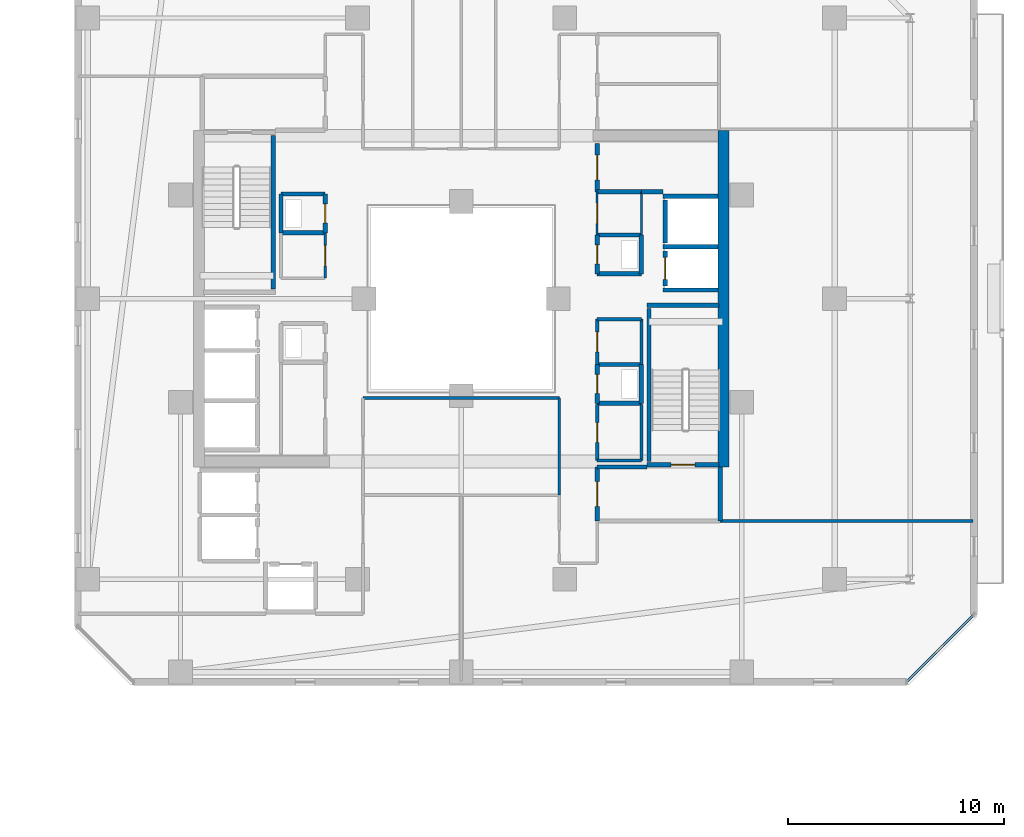
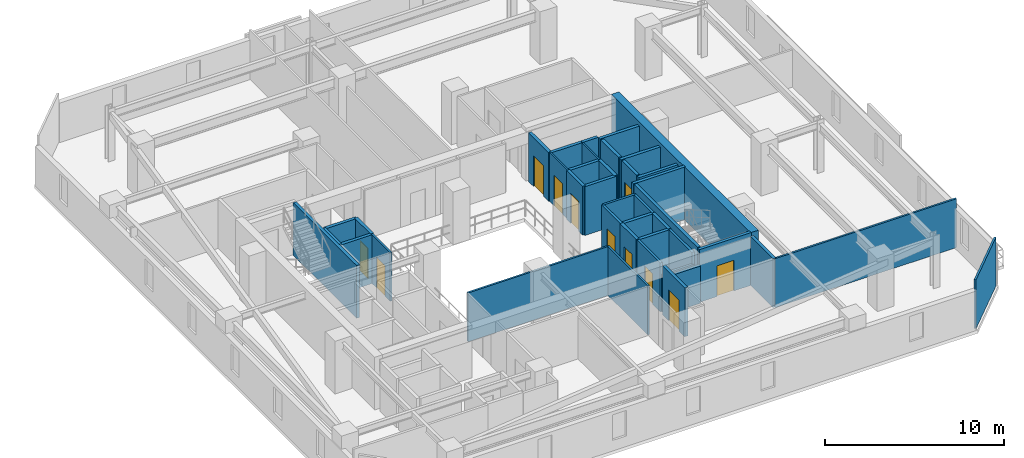
# One storey, part 24 of 33: 41 walls, 11 doors, 11 openings.
"""IFC4 building model written with IfcOpenShell, lengths in metres."""

from ifc_helpers import new_model, si_unit, direction, frame, frame_2d, origin, place, context, subcontext, project, spatial, rectangle, extrude, material, layer, layer_set, type_object, element, fill, save


model = new_model("IFC4")

# Units and contexts
model_context = context("Model", 3, precision=1e-05, world=origin(), true_north=direction((0.0, 1.0)))
body_context = subcontext(model_context, "Body", "Model", "MODEL_VIEW")
ifc_project = project(units=[si_unit("LENGTHUNIT", "METRE"), si_unit("AREAUNIT", "SQUARE_METRE"), si_unit("VOLUMEUNIT", "CUBIC_METRE"), si_unit("PLANEANGLEUNIT", "RADIAN"), si_unit("MASSUNIT", "GRAM", prefix="KILO")], contexts=[model_context])

# Site, building, storey
site_placement = place(None, origin())
site = spatial("IfcSite", under=ifc_project, at=site_placement, CompositionType="ELEMENT")
building_placement = place(site_placement, origin())
building = spatial("IfcBuilding", under=site, at=building_placement, Name="Thornwick Lancets Civic Towers", CompositionType="ELEMENT")
storey_placement = place(building_placement, frame((0.0, 0.0, 163.5)))
storey = spatial("IfcBuildingStorey", under=building, at=storey_placement, Name="L43", CompositionType="ELEMENT", Elevation=163.5)

# Wall, opening, door
ifc_material_1 = material(Name="Concrete blockwork C40/50", Category="masonry")
ifc_layer_1 = layer(ifc_material_1, 0.199951171875, Name="Concrete blockwork C40/50")
ifc_layer_set_1 = layer_set([ifc_layer_1], Name="Concrete blockwork C40/50")
wall_type_1 = type_object("IfcWallType", Name="WALL_COMP_200", PredefinedType="STANDARD", material=ifc_layer_set_1)
wall_1_placement = place(storey_placement, frame((97.949951171875, 29.219970703125, 0.0), z_axis=(0.0, 0.0, 1.0), x_axis=(0.0, -1.0, 0.0)))
wall_1 = element("IfcWall", 1, at=wall_1_placement, inside=storey, type_object=wall_type_1, Name="L43 Hoistway Front Wall FL-B1", PredefinedType="STANDARD", context=body_context, shape_type="SweptSolid", body=[
    extrude(rectangle(XDim=1.639892578125, YDim=0.199951171875, at=frame_2d((0.81982421875, 0.0))), origin(), (0.0, 0.0, 1.0), 3.340087890625),
])
opening_1_placement = place(wall_1_placement, frame((0.31005859375, 0.0, 0.0)))
opening_1 = element("IfcOpeningElement", 2, at=opening_1_placement, cuts=wall_1, Name="Opening LD-FL-B1", PredefinedType="OPENING", context=body_context, shape_type="SweptSolid", body=[
    extrude(rectangle(XDim=1.02001953125, YDim=2.06005859375, at=frame_2d((0.510009765625, 1.030029296875))), frame((0.0, 0.10986328125, 0.0), z_axis=(0.0, -1.0, 0.0), x_axis=(1.0, 0.0, 0.0)), (0.0, 0.0, 1.0), 0.219970703125),
])
ifc_material_2 = material(Name="Brushed bronze stainless steel", Category="steel")
door_type_1 = type_object("IfcDoorType", Name="DOOR_LIFT_SLIDE", OperationType="SLIDING_TO_LEFT", PredefinedType="DOOR", material=ifc_material_2)
door_1_placement = place(opening_1_placement, origin())
door_1 = element("IfcDoor", 3, at=door_1_placement, inside=storey, type_object=door_type_1, Name="L43 Sliding Lift Landing Door LD-FL-B1", OperationType="SLIDING_TO_LEFT", OverallHeight=2.06005859375, OverallWidth=1.02001953125, PredefinedType="DOOR", context=body_context, shape_type="SweptSolid", body=[
    extrude(rectangle(XDim=1.02001953125, YDim=2.06005859375, at=frame_2d((0.510009765625, 1.030029296875))), frame((0.0, 0.02490234375, 0.0), z_axis=(0.0, -1.0, 0.0), x_axis=(1.0, 0.0, 0.0)), (0.0, 0.0, 1.0), 0.050048828125),
])
fill(opening_1, door_1)

# Walls
wall_2_placement = place(storey_placement, frame((97.949951171875, 31.570068359375, 0.0), z_axis=(0.0, 0.0, 1.0), x_axis=(0.0, -1.0, 0.0)))
element("IfcWall", 4, at=wall_2_placement, inside=storey, type_object=wall_type_1, Name="L43 Hoistway Front Wall PL-BH1", PredefinedType="STANDARD", context=body_context, shape_type="SweptSolid", body=[
    extrude(rectangle(XDim=1.989990234375, YDim=0.199951171875, at=frame_2d((0.9951171875, 0.0))), origin(), (0.0, 0.0, 1.0), 3.340087890625),
])
for number, where, z_axis, x_axis, name in (
    (5, (97.85205078125, 29.39990234375, 0.0), (0.0, 0.0, 1.0), (1.0, 0.0, 0.0), "L43 Hoistway Shaft Wall FL-B1 N"),
    (6, (97.85205078125, 27.39990234375, 0.0), (0.0, 0.0, 1.0), (1.0, 0.0, 0.0), "L43 Hoistway Shaft Wall FL-B1 S"),
    (7, (97.85205078125, 31.75, 0.0), (0.0, 0.0, 1.0), (1.0, 0.0, 0.0), "L43 Hoistway Shaft Wall PL-BH1 N"),
):
    element("IfcWall", number, at=place(storey_placement, frame(where, z_axis=z_axis, x_axis=x_axis)), inside=storey, type_object=wall_type_1, Name=name, PredefinedType="STANDARD", context=body_context, shape_type="SweptSolid", body=[
        extrude(rectangle(XDim=2.535888671875, YDim=0.199951171875, at=frame_2d((1.26806640625, 0.0))), origin(), (0.0, 0.0, 1.0), 3.340087890625),
    ])
wall_3_placement = place(storey_placement, frame((100.5, 16.699951171875, 0.0), z_axis=(0.0, 0.0, 1.0), x_axis=(0.0, 1.0, 0.0)))
element("IfcWall", 8, at=wall_3_placement, inside=storey, type_object=wall_type_1, Name="L43 Partition L43-B-FFLOB1 E2", PredefinedType="STANDARD", context=body_context, shape_type="SweptSolid", body=[
    extrude(rectangle(XDim=2.5, YDim=0.199951171875, at=frame_2d((1.25, 0.0))), origin(), (0.0, 0.0, 1.0), 3.340087890625),
])
wall_4_placement = place(storey_placement, frame((97.10009765625, 19.199951171875, 0.0), z_axis=(0.0, 0.0, 1.0), x_axis=(-1.0, 0.0, 0.0)))
element("IfcWall", 9, at=wall_4_placement, inside=storey, type_object=wall_type_1, Name="L43 Partition L43-B-FFLOB1 E3", PredefinedType="STANDARD", context=body_context, shape_type="SweptSolid", body=[
    extrude(rectangle(XDim=2.300048828125, YDim=0.199951171875, at=frame_2d((1.14990234375, 0.0))), origin(), (0.0, 0.0, 1.0), 2.544921875),
])

# Wall, opening, door
wall_5_placement = place(storey_placement, frame((94.800048828125, 19.199951171875, 0.0), z_axis=(0.0, 0.0, 1.0), x_axis=(0.0, -1.0, 0.0)))
wall_5 = element("IfcWall", 10, at=wall_5_placement, inside=storey, type_object=wall_type_1, Name="L43 Partition L43-B-FFLOB1 E4", PredefinedType="STANDARD", context=body_context, shape_type="SweptSolid", body=[
    extrude(rectangle(XDim=2.5, YDim=0.199951171875, at=frame_2d((1.25, 0.0))), origin(), (0.0, 0.0, 1.0), 3.340087890625),
])
opening_2_placement = place(wall_5_placement, frame((0.675048828125, 0.0, 0.0)))
opening_2 = element("IfcOpeningElement", 11, at=opening_2_placement, cuts=wall_5, Name="Opening D-L43-1923", PredefinedType="OPENING", context=body_context, shape_type="SweptSolid", body=[
    extrude(rectangle(XDim=1.14990234375, YDim=2.10009765625, at=frame_2d((0.574951171875, 1.050048828125))), frame((0.0, 0.10986328125, 0.0), z_axis=(0.0, -1.0, 0.0), x_axis=(1.0, 0.0, 0.0)), (0.0, 0.0, 1.0), 0.219970703125),
])
ifc_material_3 = material(Name="Glazed fire-resisting steel", Category="steel")
door_type_2 = type_object("IfcDoorType", Name="DOOR_LOBBY_FD60", OperationType="NOTDEFINED", PredefinedType="DOOR", material=ifc_material_3)
door_2_placement = place(opening_2_placement, origin())
door_2 = element("IfcDoor", 12, at=door_2_placement, inside=storey, type_object=door_type_2, Name="L43 East Firefighting Lobby 1 Door", OperationType="SINGLE_SWING_RIGHT", OverallHeight=2.10009765625, OverallWidth=1.14990234375, PredefinedType="DOOR", context=body_context, shape_type="SweptSolid", body=[
    extrude(rectangle(XDim=1.14990234375, YDim=2.10009765625, at=frame_2d((0.574951171875, 1.050048828125))), frame((0.0, 0.02490234375, 0.0), z_axis=(0.0, -1.0, 0.0), x_axis=(1.0, 0.0, 0.0)), (0.0, 0.0, 1.0), 0.050048828125),
])
fill(opening_2, door_2)

# Walls
wall_6_placement = place(storey_placement, frame((94.800048828125, 28.14990234375, 0.0), z_axis=(0.0, 0.0, 1.0), x_axis=(1.0, 0.0, 0.0)))
element("IfcWall", 13, at=wall_6_placement, inside=storey, type_object=wall_type_1, Name="L43 Partition L43-B-DUCT1 E1", PredefinedType="STANDARD", context=body_context, shape_type="SweptSolid", body=[
    extrude(rectangle(XDim=2.050048828125, YDim=0.199951171875, at=frame_2d((1.02490234375, 0.0))), origin(), (0.0, 0.0, 1.0), 3.340087890625),
])
wall_7_placement = place(storey_placement, frame((96.85009765625, 28.14990234375, 0.0), z_axis=(0.0, 0.0, 1.0), x_axis=(0.0, 1.0, 0.0)))
element("IfcWall", 14, at=wall_7_placement, inside=storey, type_object=wall_type_1, Name="L43 Partition L43-B-DUCT1 E2", PredefinedType="STANDARD", context=body_context, shape_type="SweptSolid", body=[
    extrude(rectangle(XDim=1.800048828125, YDim=0.199951171875, at=frame_2d((0.89990234375, 0.0))), origin(), (0.0, 0.0, 1.0), 3.340087890625),
])
wall_8_placement = place(storey_placement, frame((96.85009765625, 29.949951171875, 0.0), z_axis=(0.0, 0.0, 1.0), x_axis=(-1.0, 0.0, 0.0)))
element("IfcWall", 15, at=wall_8_placement, inside=storey, type_object=wall_type_1, Name="L43 Partition L43-B-DUCT1 E3", PredefinedType="STANDARD", context=body_context, shape_type="SweptSolid", body=[
    extrude(rectangle(XDim=2.050048828125, YDim=0.199951171875, at=frame_2d((1.02490234375, 0.0))), origin(), (0.0, 0.0, 1.0), 3.340087890625),
])

# Wall, opening, door
wall_9_placement = place(storey_placement, frame((94.800048828125, 29.949951171875, 0.0), z_axis=(0.0, 0.0, 1.0), x_axis=(0.0, -1.0, 0.0)))
wall_9 = element("IfcWall", 16, at=wall_9_placement, inside=storey, type_object=wall_type_1, Name="L43 Partition L43-B-DUCT1 E4", PredefinedType="STANDARD", context=body_context, shape_type="SweptSolid", body=[
    extrude(rectangle(XDim=1.800048828125, YDim=0.199951171875, at=frame_2d((0.89990234375, 0.0))), origin(), (0.0, 0.0, 1.0), 3.340087890625),
])
opening_3_placement = place(wall_9_placement, frame((0.4599609375, 0.0, 0.0)))
opening_3 = element("IfcOpeningElement", 17, at=opening_3_placement, cuts=wall_9, Name="Opening D-L43-1925", PredefinedType="OPENING", context=body_context, shape_type="SweptSolid", body=[
    extrude(rectangle(XDim=0.8798828125, YDim=2.0400390625, at=frame_2d((0.43994140625, 1.02001953125))), frame((0.0, 0.10986328125, 0.0), z_axis=(0.0, -1.0, 0.0), x_axis=(1.0, 0.0, 0.0)), (0.0, 0.0, 1.0), 0.219970703125),
])
ifc_material_4 = material(Name="Steel riser access doorset", Category="steel")
door_type_3 = type_object("IfcDoorType", Name="DOOR_RISER_850", OperationType="NOTDEFINED", PredefinedType="DOOR", material=ifc_material_4)
door_3_placement = place(opening_3_placement, origin())
door_3 = element("IfcDoor", 18, at=door_3_placement, inside=storey, type_object=door_type_3, Name="L43 East Service Duct 1 Door", OperationType="SINGLE_SWING_RIGHT", OverallHeight=2.0400390625, OverallWidth=0.8798828125, PredefinedType="DOOR", context=body_context, shape_type="SweptSolid", body=[
    extrude(rectangle(XDim=0.8798828125, YDim=2.0400390625, at=frame_2d((0.43994140625, 1.02001953125))), frame((0.0, 0.02490234375, 0.0), z_axis=(0.0, -1.0, 0.0), x_axis=(1.0, 0.0, 0.0)), (0.0, 0.0, 1.0), 0.050048828125),
])
fill(opening_3, door_3)

# Walls
wall_10_placement = place(storey_placement, frame((94.800048828125, 22.14990234375, 0.0), z_axis=(0.0, 0.0, 1.0), x_axis=(1.0, 0.0, 0.0)))
element("IfcWall", 19, at=wall_10_placement, inside=storey, type_object=wall_type_1, Name="L43 Partition L43-B-RISER1 E1", PredefinedType="STANDARD", context=body_context, shape_type="SweptSolid", body=[
    extrude(rectangle(XDim=2.050048828125, YDim=0.199951171875, at=frame_2d((1.02490234375, 0.0))), origin(), (0.0, 0.0, 1.0), 3.340087890625),
])
wall_11_placement = place(storey_placement, frame((96.85009765625, 22.14990234375, 0.0), z_axis=(0.0, 0.0, 1.0), x_axis=(0.0, 1.0, 0.0)))
element("IfcWall", 20, at=wall_11_placement, inside=storey, type_object=wall_type_1, Name="L43 Partition L43-B-RISER1 E2", PredefinedType="STANDARD", context=body_context, shape_type="SweptSolid", body=[
    extrude(rectangle(XDim=1.800048828125, YDim=0.199951171875, at=frame_2d((0.89990234375, 0.0))), origin(), (0.0, 0.0, 1.0), 3.340087890625),
])
wall_12_placement = place(storey_placement, frame((96.85009765625, 23.949951171875, 0.0), z_axis=(0.0, 0.0, 1.0), x_axis=(-1.0, 0.0, 0.0)))
element("IfcWall", 21, at=wall_12_placement, inside=storey, type_object=wall_type_1, Name="L43 Partition L43-B-RISER1 E3", PredefinedType="STANDARD", context=body_context, shape_type="SweptSolid", body=[
    extrude(rectangle(XDim=2.050048828125, YDim=0.199951171875, at=frame_2d((1.02490234375, 0.0))), origin(), (0.0, 0.0, 1.0), 3.340087890625),
])

# Wall, opening, door
wall_13_placement = place(storey_placement, frame((94.800048828125, 23.949951171875, 0.0), z_axis=(0.0, 0.0, 1.0), x_axis=(0.0, -1.0, 0.0)))
wall_13 = element("IfcWall", 22, at=wall_13_placement, inside=storey, type_object=wall_type_1, Name="L43 Partition L43-B-RISER1 E4", PredefinedType="STANDARD", context=body_context, shape_type="SweptSolid", body=[
    extrude(rectangle(XDim=1.800048828125, YDim=0.199951171875, at=frame_2d((0.89990234375, 0.0))), origin(), (0.0, 0.0, 1.0), 3.340087890625),
])
opening_4_placement = place(wall_13_placement, frame((0.4599609375, 0.0, 0.0)))
opening_4 = element("IfcOpeningElement", 23, at=opening_4_placement, cuts=wall_13, Name="Opening D-L43-1926", PredefinedType="OPENING", context=body_context, shape_type="SweptSolid", body=[
    extrude(rectangle(XDim=0.8798828125, YDim=2.0400390625, at=frame_2d((0.43994140625, 1.02001953125))), frame((0.0, 0.10986328125, 0.0), z_axis=(0.0, -1.0, 0.0), x_axis=(1.0, 0.0, 0.0)), (0.0, 0.0, 1.0), 0.219970703125),
])
door_4_placement = place(opening_4_placement, origin())
door_4 = element("IfcDoor", 24, at=door_4_placement, inside=storey, type_object=door_type_3, Name="L43 East Electrical Riser 1 Door", OperationType="SINGLE_SWING_LEFT", OverallHeight=2.0400390625, OverallWidth=0.8798828125, PredefinedType="DOOR", context=body_context, shape_type="SweptSolid", body=[
    extrude(rectangle(XDim=0.8798828125, YDim=2.0400390625, at=frame_2d((0.43994140625, 1.02001953125))), frame((0.0, 0.02490234375, 0.0), z_axis=(0.0, -1.0, 0.0), x_axis=(1.0, 0.0, 0.0)), (0.0, 0.0, 1.0), 0.050048828125),
])
fill(opening_4, door_4)

# Wall
wall_14_placement = place(storey_placement, frame((80.14990234375, 30.050048828125, 0.0), z_axis=(0.0, 0.0, 1.0), x_axis=(1.0, 0.0, 0.0)))
element("IfcWall", 25, at=wall_14_placement, inside=storey, type_object=wall_type_1, Name="L43 Partition L43-B-RISER2 E1", PredefinedType="STANDARD", context=body_context, shape_type="SweptSolid", body=[
    extrude(rectangle(XDim=2.050048828125, YDim=0.199951171875, at=frame_2d((1.02490234375, 0.0))), origin(), (0.0, 0.0, 1.0), 3.340087890625),
])

# Wall, opening, door
wall_15_placement = place(storey_placement, frame((82.199951171875, 30.050048828125, 0.0), z_axis=(0.0, 0.0, 1.0), x_axis=(0.0, 1.0, 0.0)))
wall_15 = element("IfcWall", 26, at=wall_15_placement, inside=storey, type_object=wall_type_1, Name="L43 Partition L43-B-RISER2 E2", PredefinedType="STANDARD", context=body_context, shape_type="SweptSolid", body=[
    extrude(rectangle(XDim=1.800048828125, YDim=0.199951171875, at=frame_2d((0.89990234375, 0.0))), origin(), (0.0, 0.0, 1.0), 3.340087890625),
])
opening_5_placement = place(wall_15_placement, frame((0.4599609375, 0.0, 0.0)))
opening_5 = element("IfcOpeningElement", 27, at=opening_5_placement, cuts=wall_15, Name="Opening D-L43-1928", PredefinedType="OPENING", context=body_context, shape_type="SweptSolid", body=[
    extrude(rectangle(XDim=0.8798828125, YDim=2.0400390625, at=frame_2d((0.43994140625, 1.02001953125))), frame((0.0, 0.10986328125, 0.0), z_axis=(0.0, -1.0, 0.0), x_axis=(1.0, 0.0, 0.0)), (0.0, 0.0, 1.0), 0.219970703125),
])
door_5_placement = place(opening_5_placement, origin())
door_5 = element("IfcDoor", 28, at=door_5_placement, inside=storey, type_object=door_type_3, Name="L43 West Service Riser 2 Door", OperationType="SINGLE_SWING_LEFT", OverallHeight=2.0400390625, OverallWidth=0.8798828125, PredefinedType="DOOR", context=body_context, shape_type="SweptSolid", body=[
    extrude(rectangle(XDim=0.8798828125, YDim=2.0400390625, at=frame_2d((0.43994140625, 1.02001953125))), frame((0.0, 0.02490234375, 0.0), z_axis=(0.0, -1.0, 0.0), x_axis=(1.0, 0.0, 0.0)), (0.0, 0.0, 1.0), 0.050048828125),
])
fill(opening_5, door_5)

# Walls
wall_16_placement = place(storey_placement, frame((82.199951171875, 31.85009765625, 0.0), z_axis=(0.0, 0.0, 1.0), x_axis=(-1.0, 0.0, 0.0)))
element("IfcWall", 29, at=wall_16_placement, inside=storey, type_object=wall_type_1, Name="L43 Partition L43-B-RISER2 E3", PredefinedType="STANDARD", context=body_context, shape_type="SweptSolid", body=[
    extrude(rectangle(XDim=2.050048828125, YDim=0.199951171875, at=frame_2d((1.02490234375, 0.0))), origin(), (0.0, 0.0, 1.0), 3.340087890625),
])
wall_17_placement = place(storey_placement, frame((80.14990234375, 31.85009765625, 0.0), z_axis=(0.0, 0.0, 1.0), x_axis=(0.0, -1.0, 0.0)))
element("IfcWall", 30, at=wall_17_placement, inside=storey, type_object=wall_type_1, Name="L43 Partition L43-B-RISER2 E4", PredefinedType="STANDARD", context=body_context, shape_type="SweptSolid", body=[
    extrude(rectangle(XDim=1.800048828125, YDim=0.199951171875, at=frame_2d((0.89990234375, 0.0))), origin(), (0.0, 0.0, 1.0), 3.340087890625),
])

# Wall, opening, door
wall_18_placement = place(storey_placement, frame((94.800048828125, 31.949951171875, 0.0), z_axis=(0.0, 0.0, 1.0), x_axis=(0.0, 1.0, 0.0)))
wall_18 = element("IfcWall", 31, at=wall_18_placement, inside=storey, type_object=wall_type_1, Name="L43 Partition L43-B-ITR2 E1", PredefinedType="STANDARD", context=body_context, shape_type="SweptSolid", body=[
    extrude(rectangle(XDim=2.25, YDim=0.199951171875, at=frame_2d((1.125, 0.0))), origin(), (0.0, 0.0, 1.0), 3.340087890625),
])
opening_6_placement = place(wall_18_placement, frame((0.550048828125, 0.0, 0.0)))
opening_6 = element("IfcOpeningElement", 32, at=opening_6_placement, cuts=wall_18, Name="Opening D-L43-1932", PredefinedType="OPENING", context=body_context, shape_type="SweptSolid", body=[
    extrude(rectangle(XDim=1.14990234375, YDim=2.10009765625, at=frame_2d((0.574951171875, 1.050048828125))), frame((0.0, 0.10986328125, 0.0), z_axis=(0.0, -1.0, 0.0), x_axis=(1.0, 0.0, 0.0)), (0.0, 0.0, 1.0), 0.219970703125),
])
door_6_placement = place(opening_6_placement, origin())
door_6 = element("IfcDoor", 33, at=door_6_placement, inside=storey, type_object=door_type_2, Name="L43 Tower B Statutory Core Archive Door", OperationType="SINGLE_SWING_LEFT", OverallHeight=2.10009765625, OverallWidth=1.14990234375, PredefinedType="DOOR", context=body_context, shape_type="SweptSolid", body=[
    extrude(rectangle(XDim=1.14990234375, YDim=2.10009765625, at=frame_2d((0.574951171875, 1.050048828125))), frame((0.0, 0.02490234375, 0.0), z_axis=(0.0, -1.0, 0.0), x_axis=(1.0, 0.0, 0.0)), (0.0, 0.0, 1.0), 0.050048828125),
])
fill(opening_6, door_6)

# Walls
wall_19_placement = place(storey_placement, frame((97.85205078125, 31.949951171875, 0.0), z_axis=(0.0, 0.0, 1.0), x_axis=(-1.0, 0.0, 0.0)))
element("IfcWall", 34, at=wall_19_placement, inside=storey, type_object=wall_type_1, Name="L43 Partition L43-B-ITR2 E4", PredefinedType="STANDARD", context=body_context, shape_type="SweptSolid", body=[
    extrude(rectangle(XDim=1.001953125, YDim=0.199951171875, at=frame_2d((0.5009765625, 0.0))), origin(), (0.0, 0.0, 1.0), 3.340087890625),
])
wall_20_placement = place(storey_placement, frame((96.85009765625, 31.949951171875, 0.0), z_axis=(0.0, 0.0, 1.0), x_axis=(-1.0, 0.0, 0.0)))
element("IfcWall", 35, at=wall_20_placement, inside=storey, type_object=wall_type_1, Name="L43 Partition L43-B-ITR2 E5", PredefinedType="STANDARD", context=body_context, shape_type="SweptSolid", body=[
    extrude(rectangle(XDim=2.050048828125, YDim=0.199951171875, at=frame_2d((1.02490234375, 0.0))), origin(), (0.0, 0.0, 1.0), 3.340087890625),
])
ifc_material_5 = material(Name="Concrete C50/60", Category="concrete")
ifc_layer_2 = layer(ifc_material_5, 0.5, Name="Concrete C50/60")
ifc_layer_set_2 = layer_set([ifc_layer_2], Name="Concrete C50/60")
wall_type_2 = type_object("IfcWallType", Name="WALL_CORE_500", PredefinedType="SHEAR", material=ifc_layer_set_2)
wall_21_placement = place(storey_placement, frame((100.64990234375, 19.199951171875, 0.0), z_axis=(0.0, 0.0, 1.0), x_axis=(0.0, 1.0, 0.0)))
element("IfcWall", 36, at=wall_21_placement, inside=storey, type_object=wall_type_2, Name="L43 Split Core B1 Shear Wall E", PredefinedType="SHEAR", context=body_context, shape_type="SweptSolid", body=[
    extrude(rectangle(XDim=15.60009765625, YDim=0.5, at=frame_2d((7.800048828125, 0.0))), origin(), (0.0, 0.0, 1.0), 3.60009765625),
])

# Wall, opening, door
ifc_material_6 = material(Name="Lightweight cellular office partition")
ifc_layer_3 = layer(ifc_material_6, 0.10009765625, Name="Lightweight cellular office partition")
ifc_layer_set_3 = layer_set([ifc_layer_3], Name="Lightweight cellular office partition")
wall_type_3 = type_object("IfcWallType", Name="WALL_PART_100", PredefinedType="PARTITIONING", material=ifc_layer_set_3)
wall_22_placement = place(storey_placement, frame((94.800048828125, 29.949951171875, 0.0), z_axis=(0.0, 0.0, 1.0), x_axis=(0.0, 1.0, 0.0)))
wall_22 = element("IfcWall", 37, at=wall_22_placement, inside=storey, type_object=wall_type_3, Name="L43 Partition L43-B-CLN E1", PredefinedType="PARTITIONING", context=body_context, shape_type="SweptSolid", body=[
    extrude(rectangle(XDim=2.0, YDim=0.10009765625, at=frame_2d((1.0, 0.0))), origin(), (0.0, 0.0, 1.0), 3.340087890625),
])
opening_7_placement = place(wall_22_placement, frame((0.52490234375, 0.0, 0.0)))
opening_7 = element("IfcOpeningElement", 38, at=opening_7_placement, cuts=wall_22, Name="Opening D-L43-1931", PredefinedType="OPENING", context=body_context, shape_type="SweptSolid", body=[
    extrude(rectangle(XDim=0.949951171875, YDim=2.10009765625, at=frame_2d((0.47509765625, 1.050048828125))), frame((0.0, 0.06005859375, 0.0), z_axis=(0.0, -1.0, 0.0), x_axis=(1.0, 0.0, 0.0)), (0.0, 0.0, 1.0), 0.1201171875),
])
ifc_material_7 = material(Name="European oak acoustic doorset")
door_type_4 = type_object("IfcDoorType", Name="DOOR_OFFICE_950", OperationType="NOTDEFINED", PredefinedType="DOOR", material=ifc_material_7)
door_7_placement = place(opening_7_placement, origin())
door_7 = element("IfcDoor", 39, at=door_7_placement, inside=storey, type_object=door_type_4, Name="L43 Tower B Cleaners Store Door", OperationType="SINGLE_SWING_RIGHT", OverallHeight=2.10009765625, OverallWidth=0.949951171875, PredefinedType="DOOR", context=body_context, shape_type="SweptSolid", body=[
    extrude(rectangle(XDim=0.949951171875, YDim=2.10009765625, at=frame_2d((0.47509765625, 1.050048828125))), frame((0.0, 0.02490234375, 0.0), z_axis=(0.0, -1.0, 0.0), x_axis=(1.0, 0.0, 0.0)), (0.0, 0.0, 1.0), 0.050048828125),
])
fill(opening_7, door_7)

# Wall
wall_23_placement = place(storey_placement, frame((96.85009765625, 31.949951171875, 0.0), z_axis=(0.0, 0.0, 1.0), x_axis=(0.0, -1.0, 0.0)))
element("IfcWall", 40, at=wall_23_placement, inside=storey, type_object=wall_type_3, Name="L43 Partition L43-B-CLN E3", PredefinedType="PARTITIONING", context=body_context, shape_type="SweptSolid", body=[
    extrude(rectangle(XDim=2.0, YDim=0.10009765625, at=frame_2d((1.0, 0.0))), origin(), (0.0, 0.0, 1.0), 3.340087890625),
])

# Wall, opening, door
ifc_material_8 = material(Name="Acoustic gypsum board partition")
ifc_layer_4 = layer(ifc_material_8, 0.1201171875, Name="Acoustic gypsum board partition")
ifc_layer_set_4 = layer_set([ifc_layer_4], Name="Acoustic gypsum board partition")
wall_type_4 = type_object("IfcWallType", Name="WALL_PART_120", PredefinedType="PARTITIONING", material=ifc_layer_set_4)
wall_24_placement = place(storey_placement, frame((82.199951171875, 30.050048828125, 0.0), z_axis=(0.0, 0.0, 1.0), x_axis=(0.0, -1.0, 0.0)))
wall_24 = element("IfcWall", 41, at=wall_24_placement, inside=storey, type_object=wall_type_4, Name="L43 Partition L43-B-ITR E4", PredefinedType="PARTITIONING", context=body_context, shape_type="SweptSolid", body=[
    extrude(rectangle(XDim=2.10009765625, YDim=0.1201171875, at=frame_2d((1.050048828125, 0.0))), origin(), (0.0, 0.0, 1.0), 3.340087890625),
])
opening_8_placement = place(wall_24_placement, frame((0.574951171875, 0.0, 0.0)))
opening_8 = element("IfcOpeningElement", 42, at=opening_8_placement, cuts=wall_24, Name="Opening D-L43-1934", PredefinedType="OPENING", context=body_context, shape_type="SweptSolid", body=[
    extrude(rectangle(XDim=0.949951171875, YDim=2.10009765625, at=frame_2d((0.47509765625, 1.050048828125))), frame((0.0, 0.070068359375, 0.0), z_axis=(0.0, -1.0, 0.0), x_axis=(1.0, 0.0, 0.0)), (0.0, 0.0, 1.0), 0.14013671875),
])
door_8_placement = place(opening_8_placement, origin())
door_8 = element("IfcDoor", 43, at=door_8_placement, inside=storey, type_object=door_type_4, Name="L43 Tower B Comms Patch Room Door", OperationType="SINGLE_SWING_LEFT", OverallHeight=2.10009765625, OverallWidth=0.949951171875, PredefinedType="DOOR", context=body_context, shape_type="SweptSolid", body=[
    extrude(rectangle(XDim=0.949951171875, YDim=2.10009765625, at=frame_2d((0.47509765625, 1.050048828125))), frame((0.0, 0.02490234375, 0.0), z_axis=(0.0, -1.0, 0.0), x_axis=(1.0, 0.0, 0.0)), (0.0, 0.0, 1.0), 0.050048828125),
])
fill(opening_8, door_8)

# Walls
wall_25_placement = place(storey_placement, frame((100.5, 16.699951171875, 0.0), z_axis=(0.0, 0.0, 1.0), x_axis=(1.0, 0.0, 0.0)))
element("IfcWall", 44, at=wall_25_placement, inside=storey, type_object=wall_type_4, Name="L43 Partition L43-B-W1 E9", PredefinedType="PARTITIONING", context=body_context, shape_type="SweptSolid", body=[
    extrude(rectangle(XDim=11.719970703125, YDim=0.1201171875, at=frame_2d((5.85986328125, 0.0))), origin(), (0.0, 0.0, 1.0), 3.340087890625),
])
wall_26_placement = place(storey_placement, frame((112.219970703125, 12.32861328125, 0.0), z_axis=(0.0, 0.0, 1.0), x_axis=(-0.707106781187, -0.707106781187, 0.0)))
element("IfcWall", 45, at=wall_26_placement, inside=storey, type_object=wall_type_4, Name="L43 Partition L43-B-W1 E11", PredefinedType="PARTITIONING", context=body_context, shape_type="SweptSolid", body=[
    extrude(rectangle(XDim=4.311279296875, YDim=0.1201171875, at=frame_2d((2.15576171875, 0.0))), origin(), (0.0, 0.0, 1.0), 3.340087890625),
])
wall_27_placement = place(storey_placement, frame((83.949951171875, 22.39990234375, 0.0), z_axis=(0.0, 0.0, 1.0), x_axis=(1.0, 0.0, 0.0)))
element("IfcWall", 46, at=wall_27_placement, inside=storey, type_object=wall_type_4, Name="L43 Partition L43-B-W3 E2", PredefinedType="PARTITIONING", context=body_context, shape_type="SweptSolid", body=[
    extrude(rectangle(XDim=9.10009765625, YDim=0.1201171875, at=frame_2d((4.550048828125, 0.0))), origin(), (0.0, 0.0, 1.0), 3.340087890625),
])
wall_28_placement = place(storey_placement, frame((93.050048828125, 22.39990234375, 0.0), z_axis=(0.0, 0.0, 1.0), x_axis=(0.0, -1.0, 0.0)))
element("IfcWall", 47, at=wall_28_placement, inside=storey, type_object=wall_type_4, Name="L43 Partition L43-B-W3 E3", PredefinedType="PARTITIONING", context=body_context, shape_type="SweptSolid", body=[
    extrude(rectangle(XDim=4.5, YDim=0.1201171875, at=frame_2d((2.25, 0.0))), origin(), (0.0, 0.0, 1.0), 3.340087890625),
])
ifc_material_9 = material(Name="Twin-stud acoustic gypsum board")
ifc_layer_5 = layer(ifc_material_9, 0.14990234375, Name="Twin-stud acoustic gypsum board")
ifc_layer_set_5 = layer_set([ifc_layer_5], Name="Twin-stud acoustic gypsum board")
wall_type_5 = type_object("IfcWallType", Name="WALL_PART_150", PredefinedType="PARTITIONING", material=ifc_layer_set_5)
wall_29_placement = place(storey_placement, frame((94.800048828125, 19.5, 0.0), z_axis=(0.0, 0.0, 1.0), x_axis=(1.0, 0.0, 0.0)))
element("IfcWall", 48, at=wall_29_placement, inside=storey, type_object=wall_type_5, Name="L43 Partition L43-B-MWC E1", PredefinedType="PARTITIONING", context=body_context, shape_type="SweptSolid", body=[
    extrude(rectangle(XDim=2.050048828125, YDim=0.14990234375, at=frame_2d((1.02490234375, 0.0))), origin(), (0.0, 0.0, 1.0), 2.544921875),
])
wall_30_placement = place(storey_placement, frame((96.85009765625, 19.5, 0.0), z_axis=(0.0, 0.0, 1.0), x_axis=(0.0, 1.0, 0.0)))
element("IfcWall", 49, at=wall_30_placement, inside=storey, type_object=wall_type_5, Name="L43 Partition L43-B-MWC E2", PredefinedType="PARTITIONING", context=body_context, shape_type="SweptSolid", body=[
    extrude(rectangle(XDim=2.60009765625, YDim=0.14990234375, at=frame_2d((1.300048828125, 0.0))), origin(), (0.0, 0.0, 1.0), 3.340087890625),
])

# Wall, opening, door
wall_31_placement = place(storey_placement, frame((94.800048828125, 22.10009765625, 0.0), z_axis=(0.0, 0.0, 1.0), x_axis=(0.0, -1.0, 0.0)))
wall_31 = element("IfcWall", 50, at=wall_31_placement, inside=storey, type_object=wall_type_5, Name="L43 Partition L43-B-MWC E4", PredefinedType="PARTITIONING", context=body_context, shape_type="SweptSolid", body=[
    extrude(rectangle(XDim=2.60009765625, YDim=0.14990234375, at=frame_2d((1.300048828125, 0.0))), origin(), (0.0, 0.0, 1.0), 3.340087890625),
])
opening_9_placement = place(wall_31_placement, frame((0.840087890625, 0.0, 0.0)))
opening_9 = element("IfcOpeningElement", 51, at=opening_9_placement, cuts=wall_31, Name="Opening D-L43-1929", PredefinedType="OPENING", context=body_context, shape_type="SweptSolid", body=[
    extrude(rectangle(XDim=0.919921875, YDim=2.080078125, at=frame_2d((0.4599609375, 1.0400390625))), frame((0.0, 0.0849609375, 0.0), z_axis=(0.0, -1.0, 0.0), x_axis=(1.0, 0.0, 0.0)), (0.0, 0.0, 1.0), 0.169921875),
])
ifc_material_10 = material(Name="Moisture-resistant oak doorset")
door_type_5 = type_object("IfcDoorType", Name="DOOR_WC_900", OperationType="NOTDEFINED", PredefinedType="DOOR", material=ifc_material_10)
door_9_placement = place(opening_9_placement, origin())
door_9 = element("IfcDoor", 52, at=door_9_placement, inside=storey, type_object=door_type_5, Name="L43 Tower B Male WC Door", OperationType="SINGLE_SWING_RIGHT", OverallHeight=2.080078125, OverallWidth=0.919921875, PredefinedType="DOOR", context=body_context, shape_type="SweptSolid", body=[
    extrude(rectangle(XDim=0.919921875, YDim=2.080078125, at=frame_2d((0.4599609375, 1.0400390625))), frame((0.0, 0.02490234375, 0.0), z_axis=(0.0, -1.0, 0.0), x_axis=(1.0, 0.0, 0.0)), (0.0, 0.0, 1.0), 0.050048828125),
])
fill(opening_9, door_9)

wall_32_placement = place(storey_placement, frame((94.800048828125, 23.949951171875, 0.0), z_axis=(0.0, 0.0, 1.0), x_axis=(0.0, 1.0, 0.0)))
wall_32 = element("IfcWall", 53, at=wall_32_placement, inside=storey, type_object=wall_type_5, Name="L43 Partition L43-B-AWC E1", PredefinedType="PARTITIONING", context=body_context, shape_type="SweptSolid", body=[
    extrude(rectangle(XDim=2.10009765625, YDim=0.14990234375, at=frame_2d((1.050048828125, 0.0))), origin(), (0.0, 0.0, 1.0), 3.340087890625),
])
opening_10_placement = place(wall_32_placement, frame((0.590087890625, 0.0, 0.0)))
opening_10 = element("IfcOpeningElement", 54, at=opening_10_placement, cuts=wall_32, Name="Opening D-L43-1930", PredefinedType="OPENING", context=body_context, shape_type="SweptSolid", body=[
    extrude(rectangle(XDim=0.919921875, YDim=2.080078125, at=frame_2d((0.4599609375, 1.0400390625))), frame((0.0, 0.0849609375, 0.0), z_axis=(0.0, -1.0, 0.0), x_axis=(1.0, 0.0, 0.0)), (0.0, 0.0, 1.0), 0.169921875),
])
door_10_placement = place(opening_10_placement, origin())
door_10 = element("IfcDoor", 55, at=door_10_placement, inside=storey, type_object=door_type_5, Name="L43 Tower B Accessible WC Door", OperationType="SINGLE_SWING_LEFT", OverallHeight=2.080078125, OverallWidth=0.919921875, PredefinedType="DOOR", context=body_context, shape_type="SweptSolid", body=[
    extrude(rectangle(XDim=0.919921875, YDim=2.080078125, at=frame_2d((0.4599609375, 1.0400390625))), frame((0.0, 0.02490234375, 0.0), z_axis=(0.0, -1.0, 0.0), x_axis=(1.0, 0.0, 0.0)), (0.0, 0.0, 1.0), 0.050048828125),
])
fill(opening_10, door_10)

# Walls
wall_33_placement = place(storey_placement, frame((94.800048828125, 26.050048828125, 0.0), z_axis=(0.0, 0.0, 1.0), x_axis=(1.0, 0.0, 0.0)))
element("IfcWall", 56, at=wall_33_placement, inside=storey, type_object=wall_type_5, Name="L43 Partition L43-B-AWC E2", PredefinedType="PARTITIONING", context=body_context, shape_type="SweptSolid", body=[
    extrude(rectangle(XDim=2.050048828125, YDim=0.14990234375, at=frame_2d((1.02490234375, 0.0))), origin(), (0.0, 0.0, 1.0), 3.340087890625),
])
wall_34_placement = place(storey_placement, frame((96.85009765625, 26.050048828125, 0.0), z_axis=(0.0, 0.0, 1.0), x_axis=(0.0, -1.0, 0.0)))
element("IfcWall", 57, at=wall_34_placement, inside=storey, type_object=wall_type_5, Name="L43 Partition L43-B-AWC E3", PredefinedType="PARTITIONING", context=body_context, shape_type="SweptSolid", body=[
    extrude(rectangle(XDim=2.10009765625, YDim=0.14990234375, at=frame_2d((1.050048828125, 0.0))), origin(), (0.0, 0.0, 1.0), 3.340087890625),
])

# Wall, opening, door
ifc_material_11 = material(Name="Concrete C40/50", Category="concrete")
ifc_layer_6 = layer(ifc_material_11, 0.199951171875, Name="Concrete C40/50")
ifc_layer_set_6 = layer_set([ifc_layer_6], Name="Concrete C40/50")
wall_type_6 = type_object("IfcWallType", Name="WALL_SHAFT_200", PredefinedType="SHEAR", material=ifc_layer_set_6)
wall_35_placement = place(storey_placement, frame((100.449951171875, 19.300048828125, 0.0), z_axis=(0.0, 0.0, 1.0), x_axis=(-1.0, 0.0, 0.0)))
wall_35 = element("IfcWall", 58, at=wall_35_placement, inside=storey, type_object=wall_type_6, Name="L43 ST-B1 Fire Stair Core Wall NEAR", PredefinedType="SHEAR", context=body_context, shape_type="SweptSolid", body=[
    extrude(rectangle(XDim=3.349853515625, YDim=0.199951171875, at=frame_2d((1.6748046875, 0.0))), origin(), (0.0, 0.0, 1.0), 3.60009765625),
])
opening_11_placement = place(wall_35_placement, frame((1.125, 0.0, 0.0)))
opening_11 = element("IfcOpeningElement", 59, at=opening_11_placement, cuts=wall_35, Name="Opening D-ST-B1-L43", PredefinedType="OPENING", context=body_context, shape_type="SweptSolid", body=[
    extrude(rectangle(XDim=1.10009765625, YDim=2.10009765625, at=frame_2d((0.550048828125, 1.050048828125))), frame((0.0, 0.10986328125, 0.0), z_axis=(0.0, -1.0, 0.0), x_axis=(1.0, 0.0, 0.0)), (0.0, 0.0, 1.0), 0.219970703125),
])
ifc_material_12 = material(Name="Fire-resisting steel and hardwood", Category="steel")
door_type_6 = type_object("IfcDoorType", Name="DOOR_STAIR_FD60", OperationType="NOTDEFINED", PredefinedType="DOOR", material=ifc_material_12)
door_11_placement = place(opening_11_placement, origin())
door_11 = element("IfcDoor", 60, at=door_11_placement, inside=storey, type_object=door_type_6, Name="L43 ST-B1 Exit Stair Door", OperationType="SINGLE_SWING_RIGHT", OverallHeight=2.10009765625, OverallWidth=1.10009765625, PredefinedType="DOOR", context=body_context, shape_type="SweptSolid", body=[
    extrude(rectangle(XDim=1.10009765625, YDim=2.10009765625, at=frame_2d((0.550048828125, 1.050048828125))), frame((0.0, 0.02490234375, 0.0), z_axis=(0.0, -1.0, 0.0), x_axis=(1.0, 0.0, 0.0)), (0.0, 0.0, 1.0), 0.050048828125),
])
fill(opening_11, door_11)

# Walls
wall_36_placement = place(storey_placement, frame((97.10009765625, 26.699951171875, 0.0), z_axis=(0.0, 0.0, 1.0), x_axis=(1.0, 0.0, 0.0)))
element("IfcWall", 61, at=wall_36_placement, inside=storey, type_object=wall_type_6, Name="L43 ST-B1 Fire Stair Core Wall FAR", PredefinedType="SHEAR", context=body_context, shape_type="SweptSolid", body=[
    extrude(rectangle(XDim=3.349853515625, YDim=0.199951171875, at=frame_2d((1.6748046875, 0.0))), origin(), (0.0, 0.0, 1.0), 3.60009765625),
])
for number, where, z_axis, x_axis, name in (
    (62, (97.202880859375, 26.550048828125, 0.0), (0.0, 0.0, 1.0), (0.0, -1.0, 0.0), "L43 ST-B1 Fire Stair Core Wall RIGHT"),
    (63, (79.797119140625, 27.449951171875, 0.0), (0.0, 0.0, 1.0), (0.0, 1.0, 0.0), "L43 ST-B2 Fire Stair Core Wall RIGHT"),
):
    element("IfcWall", number, at=place(storey_placement, frame(where, z_axis=z_axis, x_axis=x_axis)), inside=storey, type_object=wall_type_6, Name=name, PredefinedType="SHEAR", context=body_context, shape_type="SweptSolid", body=[
        extrude(rectangle(XDim=7.10009765625, YDim=0.199951171875, at=frame_2d((3.550048828125, 0.0))), origin(), (0.0, 0.0, 1.0), 3.60009765625),
    ])

save(model, "model.ifc")
